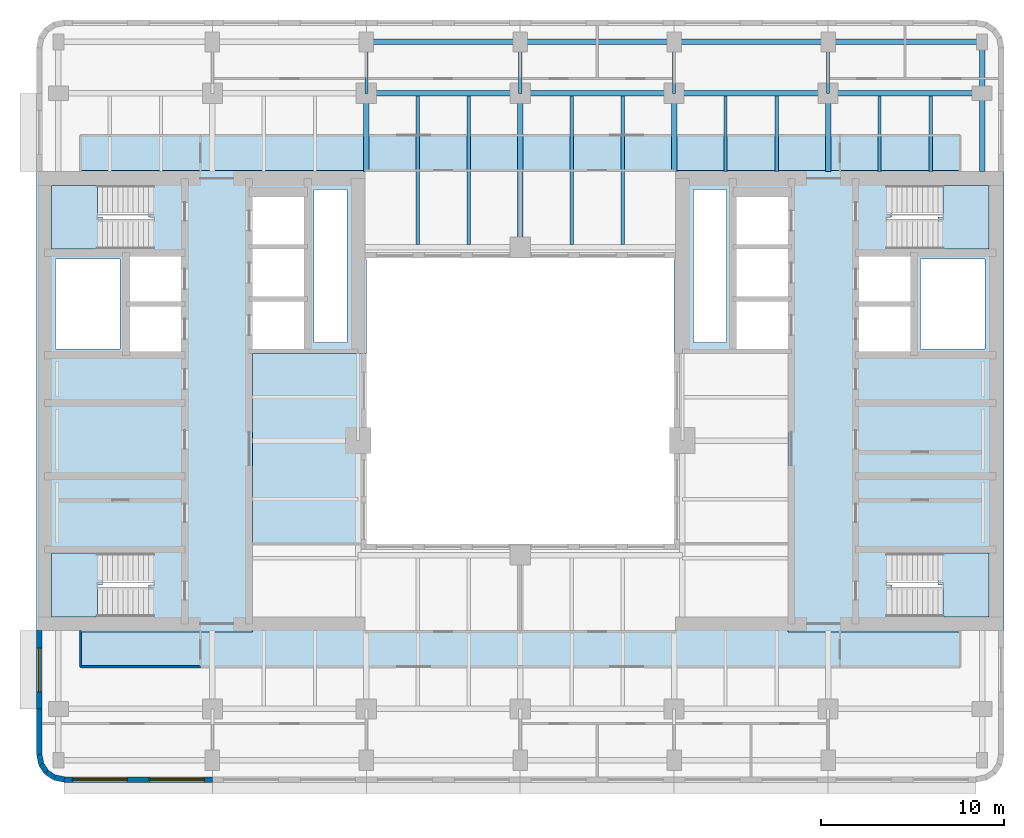
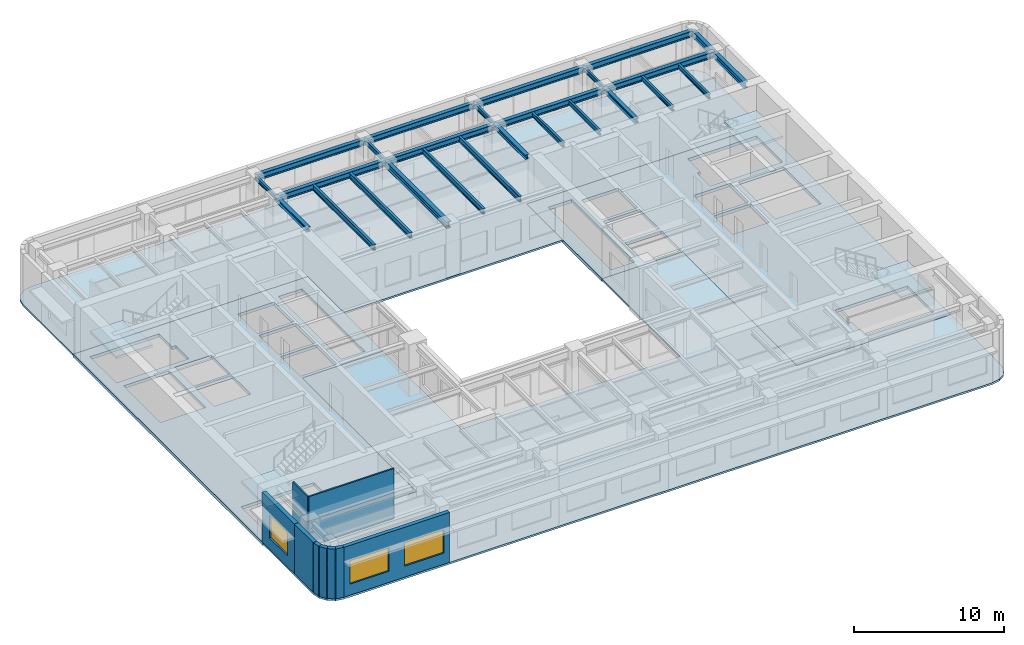
# One storey, part 2 of 11: 26 beams, 9 walls, 8 slabs, 3 windows, 3 openings, 4 elements without a shape of their own.
"""IFC4 building model written with IfcOpenShell, lengths in metres."""

from ifc_helpers import new_model, si_unit, direction, frame, frame_2d, origin, origin_2d, place, context, subcontext, project, spatial, polyline, rectangle, i_section, outline, extrude, material, layer, layer_set, material_profile, profile_set, type_object, element, fill, aggregate, save


model = new_model("IFC4")

# Units and contexts
model_context = context("Model", 3, precision=1e-05, world=origin(), true_north=direction((0.0, 1.0)))
body_context = subcontext(model_context, "Body", "Model", "MODEL_VIEW")
ifc_project = project(units=[si_unit("LENGTHUNIT", "METRE"), si_unit("AREAUNIT", "SQUARE_METRE"), si_unit("VOLUMEUNIT", "CUBIC_METRE"), si_unit("PLANEANGLEUNIT", "RADIAN"), si_unit("MASSUNIT", "GRAM", prefix="KILO")], contexts=[model_context])

# Site, building, storey
site_placement = place(None, origin())
site = spatial("IfcSite", under=ifc_project, at=site_placement, CompositionType="ELEMENT")
building_placement = place(site_placement, origin())
building = spatial("IfcBuilding", under=site, at=building_placement, Name="Claustro Exchange Tower", CompositionType="ELEMENT")
storey_placement = place(building_placement, frame((0.0, 0.0, 228.0)))
storey = spatial("IfcBuildingStorey", under=building, at=storey_placement, Name="L52", CompositionType="ELEMENT", Elevation=228.0)

# Beams
ifc_material_1 = material(Name="Steel S355", Category="steel")
ifc_material_profile_1 = material_profile(ifc_material_1, i_section(OverallWidth=0.169921875, OverallDepth=0.360107421875, WebThickness=0.008056640625, FlangeThickness=0.0126953125, FilletRadius=0.01806640625, at=origin_2d()), Name="IPE 360")
ifc_profile_set_1 = profile_set([ifc_material_profile_1], Name="Steel S355")
beam_type_1 = type_object("IfcBeamType", Name="B16 IPE 360 short-span beam", PredefinedType="BEAM", material=ifc_profile_set_1)
for number, where, z_axis, x_axis, name in (
    (1, (16.800048828125, 42.0, 3.8701171875), (0.0, 1.0, 0.0), (-1.0, 0.0, 0.0), "Beam B16 L53"),
    (2, (25.199951171875, 42.0, 3.8701171875), (0.0, 1.0, 0.0), (-1.0, 0.0, 0.0), "Beam B16 L53"),
    (3, (33.60009765625, 42.0, 3.8701171875), (0.0, 1.0, 0.0), (-1.0, 0.0, 0.0), "Beam B16 L53"),
    (4, (42.0, 42.0, 3.8701171875), (0.0, 1.0, 0.0), (-1.0, 0.0, 0.0), "Beam B16 L53"),
):
    element("IfcBeam", number, at=place(storey_placement, frame(where, z_axis=z_axis, x_axis=x_axis)), inside=storey, type_object=beam_type_1, Name=name, PredefinedType="BEAM", context=body_context, shape_type="SweptSolid", body=[
        extrude(i_section(OverallWidth=0.169921875, OverallDepth=0.360107421875, WebThickness=0.008056640625, FlangeThickness=0.0126953125, FilletRadius=0.01806640625, at=origin_2d()), origin(), (0.0, 0.0, 1.0), 2.800048828125),
    ])
for number, where, z_axis, x_axis, name in (
    (5, (36.39990234375, 37.72509765625, 3.8701171875), (0.0, 1.0, 0.0), (-1.0, 0.0, 0.0), "Beam B16 L53"),
    (6, (39.199951171875, 37.72509765625, 3.8701171875), (0.0, 1.0, 0.0), (-1.0, 0.0, 0.0), "Beam B16 L53"),
    (7, (44.800048828125, 37.72509765625, 3.8701171875), (0.0, 1.0, 0.0), (-1.0, 0.0, 0.0), "Beam B16 L53"),
    (8, (47.60009765625, 37.72509765625, 3.8701171875), (0.0, 1.0, 0.0), (-1.0, 0.0, 0.0), "Beam B16 L53"),
):
    element("IfcBeam", number, at=place(storey_placement, frame(where, z_axis=z_axis, x_axis=x_axis)), inside=storey, type_object=beam_type_1, Name=name, PredefinedType="BEAM", context=body_context, shape_type="SweptSolid", body=[
        extrude(i_section(OverallWidth=0.169921875, OverallDepth=0.360107421875, WebThickness=0.008056640625, FlangeThickness=0.0126953125, FilletRadius=0.01806640625, at=origin_2d()), origin(), (0.0, 0.0, 1.0), 4.125),
    ])
ifc_material_2 = material(Name="Steel S355", Category="steel")
ifc_material_profile_2 = material_profile(ifc_material_2, i_section(OverallWidth=0.300048828125, OverallDepth=0.360107421875, WebThickness=0.012451171875, FlangeThickness=0.0224609375, FilletRadius=0.027099609375, at=origin_2d()), Name="HE 360 B")
ifc_profile_set_2 = profile_set([ifc_material_profile_2], Name="Steel S355")
beam_type_2 = type_object("IfcBeamType", Name="B29 HE 360 B column to core link beam", PredefinedType="BEAM", material=ifc_profile_set_2)
for number, where, z_axis, x_axis, name in (
    (9, (16.800048828125, 37.72509765625, 3.8701171875), (0.0, 1.0, 0.0), (-1.0, 0.0, 0.0), "Beam B29 L53"),
    (10, (33.60009765625, 37.72509765625, 3.8701171875), (0.0, 1.0, 0.0), (-1.0, 0.0, 0.0), "Beam B29 L53"),
    (11, (42.0, 37.72509765625, 3.8701171875), (0.0, 1.0, 0.0), (-1.0, 0.0, 0.0), "Beam B29 L53"),
):
    element("IfcBeam", number, at=place(storey_placement, frame(where, z_axis=z_axis, x_axis=x_axis)), inside=storey, type_object=beam_type_2, Name=name, PredefinedType="BEAM", context=body_context, shape_type="SweptSolid", body=[
        extrude(i_section(OverallWidth=0.300048828125, OverallDepth=0.360107421875, WebThickness=0.012451171875, FlangeThickness=0.0224609375, FilletRadius=0.027099609375, at=origin_2d()), origin(), (0.0, 0.0, 1.0), 4.27490234375),
    ])
ifc_material_3 = material(Name="Steel S355", Category="steel")
ifc_material_profile_3 = material_profile(ifc_material_3, i_section(OverallWidth=0.300048828125, OverallDepth=0.5, WebThickness=0.014404296875, FlangeThickness=0.028076171875, FilletRadius=0.027099609375, at=origin_2d()), Name="HE 500 B")
ifc_profile_set_3 = profile_set([ifc_material_profile_3], Name="Steel S355")
beam_type_3 = type_object("IfcBeamType", Name="B7 HE 500 B floor girder", PredefinedType="BEAM", material=ifc_profile_set_3)
for number, where, z_axis, x_axis, name in (
    (12, (25.199951171875, 33.60009765625, 3.800048828125), (0.0, 1.0, 0.0), (-1.0, 0.0, 0.0), "Beam B7 L53"),
    (13, (16.800048828125, 42.0, 3.800048828125), (1.0, 0.0, 0.0), (0.0, 1.0, 0.0), "Beam B7 L53"),
):
    element("IfcBeam", number, at=place(storey_placement, frame(where, z_axis=z_axis, x_axis=x_axis)), inside=storey, type_object=beam_type_3, Name=name, PredefinedType="BEAM", context=body_context, shape_type="SweptSolid", body=[
        extrude(i_section(OverallWidth=0.300048828125, OverallDepth=0.5, WebThickness=0.014404296875, FlangeThickness=0.028076171875, FilletRadius=0.027099609375, at=origin_2d()), origin(), (0.0, 0.0, 1.0), 8.39990234375),
    ])
beam_1_placement = place(storey_placement, frame((25.199951171875, 42.0, 3.800048828125), z_axis=(1.0, 0.0, 0.0), x_axis=(0.0, 1.0, 0.0)))
element("IfcBeam", 14, at=beam_1_placement, inside=storey, type_object=beam_type_3, Name="Beam B7 L53", PredefinedType="BEAM", context=body_context, shape_type="SweptSolid", body=[
    extrude(i_section(OverallWidth=0.300048828125, OverallDepth=0.5, WebThickness=0.014404296875, FlangeThickness=0.028076171875, FilletRadius=0.027099609375, at=origin_2d()), origin(), (0.0, 0.0, 1.0), 8.400146484375),
])
for number, where, z_axis, x_axis, name in (
    (15, (33.60009765625, 42.0, 3.800048828125), (1.0, 0.0, 0.0), (0.0, 1.0, 0.0), "Beam B7 L53"),
    (16, (42.0, 42.0, 3.800048828125), (1.0, 0.0, 0.0), (0.0, 1.0, 0.0), "Beam B7 L53"),
):
    element("IfcBeam", number, at=place(storey_placement, frame(where, z_axis=z_axis, x_axis=x_axis)), inside=storey, type_object=beam_type_3, Name=name, PredefinedType="BEAM", context=body_context, shape_type="SweptSolid", body=[
        extrude(i_section(OverallWidth=0.300048828125, OverallDepth=0.5, WebThickness=0.014404296875, FlangeThickness=0.028076171875, FilletRadius=0.027099609375, at=origin_2d()), origin(), (0.0, 0.0, 1.0), 8.39990234375),
    ])
ifc_material_4 = material(Name="Steel S355", Category="steel")
ifc_material_profile_4 = material_profile(ifc_material_4, i_section(OverallWidth=0.18994140625, OverallDepth=0.449951171875, WebThickness=0.009521484375, FlangeThickness=0.0146484375, FilletRadius=0.02099609375, at=origin_2d()), Name="IPE 450")
ifc_profile_set_4 = profile_set([ifc_material_profile_4], Name="Steel S355")
beam_type_4 = type_object("IfcBeamType", Name="B8 IPE 450 secondary beam", PredefinedType="BEAM", material=ifc_profile_set_4)
for number, where, z_axis, x_axis, name in (
    (17, (19.60009765625, 33.75, 3.824951171875), (0.0, 1.0, 0.0), (-1.0, 0.0, 0.0), "Beam B8 L53"),
    (18, (22.39990234375, 33.75, 3.824951171875), (0.0, 1.0, 0.0), (-1.0, 0.0, 0.0), "Beam B8 L53"),
    (19, (28.0, 33.75, 3.824951171875), (0.0, 1.0, 0.0), (-1.0, 0.0, 0.0), "Beam B8 L53"),
    (20, (30.800048828125, 33.75, 3.824951171875), (0.0, 1.0, 0.0), (-1.0, 0.0, 0.0), "Beam B8 L53"),
):
    element("IfcBeam", number, at=place(storey_placement, frame(where, z_axis=z_axis, x_axis=x_axis)), inside=storey, type_object=beam_type_4, Name=name, PredefinedType="BEAM", context=body_context, shape_type="SweptSolid", body=[
        extrude(i_section(OverallWidth=0.18994140625, OverallDepth=0.449951171875, WebThickness=0.009521484375, FlangeThickness=0.0146484375, FilletRadius=0.02099609375, at=origin_2d()), origin(), (0.0, 0.0, 1.0), 8.10009765625),
    ])
ifc_material_5 = material(Name="Steel S355", Category="steel")
ifc_material_profile_5 = material_profile(ifc_material_5, i_section(OverallWidth=0.300048828125, OverallDepth=0.489990234375, WebThickness=0.011962890625, FlangeThickness=0.02294921875, FilletRadius=0.027099609375, at=origin_2d()), Name="HE 500 A")
ifc_profile_set_5 = profile_set([ifc_material_profile_5], Name="Steel S355")
beam_type_5 = type_object("IfcBeamType", Name="B9 HE 500 A spandrel edge girder", PredefinedType="SPANDREL", material=ifc_profile_set_5)
beam_2_placement = place(storey_placement, frame((50.39990234375, 37.72509765625, 3.804931640625), z_axis=(0.0, 1.0, 0.0), x_axis=(-1.0, 0.0, 0.0)))
element("IfcBeam", 21, at=beam_2_placement, inside=storey, type_object=beam_type_5, Name="Beam B9 L53", PredefinedType="SPANDREL", context=body_context, shape_type="SweptSolid", body=[
    extrude(i_section(OverallWidth=0.300048828125, OverallDepth=0.489990234375, WebThickness=0.011962890625, FlangeThickness=0.02294921875, FilletRadius=0.027099609375, at=origin_2d()), origin(), (0.0, 0.0, 1.0), 4.27490234375),
])
beam_3_placement = place(storey_placement, frame((50.39990234375, 42.0, 3.804931640625), z_axis=(0.0, 1.0, 0.0), x_axis=(-1.0, 0.0, 0.0)))
element("IfcBeam", 22, at=beam_3_placement, inside=storey, type_object=beam_type_5, Name="Beam B9 L53", PredefinedType="SPANDREL", context=body_context, shape_type="SweptSolid", body=[
    extrude(i_section(OverallWidth=0.300048828125, OverallDepth=0.489990234375, WebThickness=0.011962890625, FlangeThickness=0.02294921875, FilletRadius=0.027099609375, at=origin_2d()), origin(), (0.0, 0.0, 1.0), 2.800048828125),
])
beam_4_placement = place(storey_placement, frame((16.800048828125, 44.800048828125, 3.804931640625), z_axis=(1.0, 0.0, 0.0), x_axis=(0.0, 1.0, 0.0)))
element("IfcBeam", 23, at=beam_4_placement, inside=storey, type_object=beam_type_5, Name="Beam B9 L53", PredefinedType="SPANDREL", context=body_context, shape_type="SweptSolid", body=[
    extrude(i_section(OverallWidth=0.300048828125, OverallDepth=0.489990234375, WebThickness=0.011962890625, FlangeThickness=0.02294921875, FilletRadius=0.027099609375, at=origin_2d()), origin(), (0.0, 0.0, 1.0), 8.39990234375),
])
beam_5_placement = place(storey_placement, frame((25.199951171875, 44.800048828125, 3.804931640625), z_axis=(1.0, 0.0, 0.0), x_axis=(0.0, 1.0, 0.0)))
element("IfcBeam", 24, at=beam_5_placement, inside=storey, type_object=beam_type_5, Name="Beam B9 L53", PredefinedType="SPANDREL", context=body_context, shape_type="SweptSolid", body=[
    extrude(i_section(OverallWidth=0.300048828125, OverallDepth=0.489990234375, WebThickness=0.011962890625, FlangeThickness=0.02294921875, FilletRadius=0.027099609375, at=origin_2d()), origin(), (0.0, 0.0, 1.0), 8.400146484375),
])
for number, where, z_axis, x_axis, name in (
    (25, (33.60009765625, 44.800048828125, 3.804931640625), (1.0, 0.0, 0.0), (0.0, 1.0, 0.0), "Beam B9 L53"),
    (26, (42.0, 44.800048828125, 3.804931640625), (1.0, 0.0, 0.0), (0.0, 1.0, 0.0), "Beam B9 L53"),
):
    element("IfcBeam", number, at=place(storey_placement, frame(where, z_axis=z_axis, x_axis=x_axis)), inside=storey, type_object=beam_type_5, Name=name, PredefinedType="SPANDREL", context=body_context, shape_type="SweptSolid", body=[
        extrude(i_section(OverallWidth=0.300048828125, OverallDepth=0.489990234375, WebThickness=0.011962890625, FlangeThickness=0.02294921875, FilletRadius=0.027099609375, at=origin_2d()), origin(), (0.0, 0.0, 1.0), 8.39990234375),
    ])

# Slabs
ifc_material_6 = material(Name="Concrete HA-50 (C50/60)", Category="concrete")
ifc_layer_1 = layer(ifc_material_6, 0.14990234375)
ifc_layer_set_1 = layer_set([ifc_layer_1], Name="Concrete HA-50 (C50/60)")
slab_type_1 = type_object("IfcSlabType", Name="S2 150 composite floor slab", PredefinedType="FLOOR", material=ifc_layer_set_1)
slab_1_placement = place(storey_placement, frame((0.0, 0.0, -0.14990234375)))
element("IfcSlab", 27, at=slab_1_placement, inside=storey, type_object=slab_type_1, Name="Floor slab S2 S L52", PredefinedType="FLOOR", context=body_context, shape_type="SweptSolid", body=[
    extrude(outline(polyline([(-0.27392578125, 4.51416015625), (0.300048828125, 4.39990234375), (50.10009765625, 4.39990234375), (50.674072265625, 4.51416015625), (51.16064453125, 4.83935546875), (51.48583984375, 5.325927734375), (51.60009765625, 5.89990234375), (51.60009765625, 12.60009765625), (39.800048828125, 12.60009765625), (39.800048828125, 27.800048828125), (33.60009765625, 27.800048828125), (33.60009765625, 17.39990234375), (16.800048828125, 17.39990234375), (16.800048828125, 27.800048828125), (10.60009765625, 27.800048828125), (10.60009765625, 12.60009765625), (-1.199951171875, 12.60009765625), (-1.199951171875, 5.89990234375), (-1.085693359375, 5.325927734375), (-0.7607421875, 4.83935546875), (-0.27392578125, 4.51416015625)])), origin(), (0.0, 0.0, 1.0), 0.14990234375),
])
slab_2_placement = place(storey_placement, frame((0.0, 0.0, -0.14990234375)))
element("IfcSlab", 28, at=slab_2_placement, inside=storey, type_object=slab_type_1, Name="Floor slab S2 N L52", PredefinedType="FLOOR", context=body_context, shape_type="SweptSolid", body=[
    extrude(outline(polyline([(16.800048828125, 37.800048828125), (16.800048828125, 33.0), (33.60009765625, 33.0), (33.60009765625, 37.800048828125), (51.60009765625, 37.800048828125), (51.60009765625, 44.5), (51.48583984375, 45.073974609375), (51.16064453125, 45.560791015625), (50.674072265625, 45.8857421875), (50.10009765625, 46.0), (0.300048828125, 46.0), (-0.27392578125, 45.8857421875), (-0.7607421875, 45.560791015625), (-1.085693359375, 45.073974609375), (-1.199951171875, 44.5), (-1.199951171875, 37.800048828125), (16.800048828125, 37.800048828125)])), origin(), (0.0, 0.0, 1.0), 0.14990234375),
])
ifc_material_7 = material(Name="Concrete HA-50 (C50/60)", Category="concrete")
ifc_layer_2 = layer(ifc_material_7, 0.25)
ifc_layer_set_2 = layer_set([ifc_layer_2], Name="Concrete HA-50 (C50/60)")
slab_type_2 = type_object("IfcSlabType", Name="S7 250 core floor slab", PredefinedType="FLOOR", material=ifc_layer_set_2)
slab_3_placement = place(storey_placement, frame((0.0, 0.0, -0.25)))
element("IfcSlab", 29, at=slab_3_placement, inside=storey, type_object=slab_type_2, Name="Core floor slab S7 W core L52", PredefinedType="FLOOR", context=body_context, shape_type="SweptSolid", body=[
    extrude(outline(polyline([(-1.199951171875, 37.800048828125), (-1.199951171875, 12.60009765625), (10.60009765625, 12.60009765625), (10.60009765625, 27.800048828125), (16.800048828125, 27.800048828125), (16.800048828125, 37.800048828125), (-1.199951171875, 37.800048828125)]), holes=[polyline([(13.949951171875, 36.75), (15.75, 36.75), (15.75, 28.39990234375), (13.949951171875, 28.39990234375), (13.949951171875, 36.75)]), polyline([(10.60009765625, 30.64990234375), (13.39990234375, 30.64990234375), (13.39990234375, 28.050048828125), (10.60009765625, 28.050048828125), (10.60009765625, 30.64990234375)]), polyline([(10.60009765625, 33.5), (13.39990234375, 33.5), (13.39990234375, 30.89990234375), (10.60009765625, 30.89990234375), (10.60009765625, 33.5)]), polyline([(13.39990234375, 36.35009765625), (13.39990234375, 33.75), (10.60009765625, 33.75), (10.60009765625, 36.35009765625), (13.39990234375, 36.35009765625)]), polyline([(3.89990234375, 30.375), (6.699951171875, 30.375), (6.699951171875, 27.89990234375), (3.89990234375, 27.89990234375), (3.89990234375, 30.375)]), polyline([(3.89990234375, 33.10009765625), (6.699951171875, 33.10009765625), (6.699951171875, 30.625), (3.89990234375, 30.625), (3.89990234375, 33.10009765625)]), polyline([(-0.375, 15.16259765625), (-0.375, 16.89990234375), (5.195068359375, 16.89990234375), (5.195068359375, 15.16259765625), (4.919921875, 15.16259765625), (4.919921875, 13.425048828125), (-0.375, 13.425048828125), (-0.375, 15.16259765625)]), polyline([(-0.375, 35.237548828125), (-0.375, 36.97509765625), (4.919921875, 36.97509765625), (4.919921875, 35.237548828125), (5.195068359375, 35.237548828125), (5.195068359375, 33.5), (-0.375, 33.5), (-0.375, 35.237548828125)]), polyline([(-0.14990234375, 32.949951171875), (3.35009765625, 32.949951171875), (3.35009765625, 28.050048828125), (-0.14990234375, 28.050048828125), (-0.14990234375, 32.949951171875)])]), origin(), (0.0, 0.0, 1.0), 0.25),
])
slab_4_placement = place(storey_placement, frame((0.0, 0.0, -0.25)))
element("IfcSlab", 30, at=slab_4_placement, inside=storey, type_object=slab_type_2, Name="Core floor slab S7 E core L52", PredefinedType="FLOOR", context=body_context, shape_type="SweptSolid", body=[
    extrude(outline(polyline([(51.60009765625, 37.800048828125), (33.60009765625, 37.800048828125), (33.60009765625, 27.800048828125), (39.800048828125, 27.800048828125), (39.800048828125, 12.60009765625), (51.60009765625, 12.60009765625), (51.60009765625, 37.800048828125)]), holes=[polyline([(45.47998046875, 15.16259765625), (45.205078125, 15.16259765625), (45.205078125, 16.89990234375), (50.77490234375, 16.89990234375), (50.77490234375, 15.16259765625), (50.77490234375, 13.425048828125), (45.47998046875, 13.425048828125), (45.47998046875, 15.16259765625)]), polyline([(45.47998046875, 35.237548828125), (45.47998046875, 36.97509765625), (50.77490234375, 36.97509765625), (50.77490234375, 35.237548828125), (50.77490234375, 33.5), (45.205078125, 33.5), (45.205078125, 35.237548828125), (45.47998046875, 35.237548828125)]), polyline([(47.050048828125, 32.949951171875), (50.550048828125, 32.949951171875), (50.550048828125, 28.050048828125), (47.050048828125, 28.050048828125), (47.050048828125, 32.949951171875)]), polyline([(43.699951171875, 30.375), (46.5, 30.375), (46.5, 27.89990234375), (43.699951171875, 27.89990234375), (43.699951171875, 30.375)]), polyline([(43.699951171875, 33.10009765625), (46.5, 33.10009765625), (46.5, 30.625), (43.699951171875, 30.625), (43.699951171875, 33.10009765625)]), polyline([(37.0, 30.64990234375), (39.800048828125, 30.64990234375), (39.800048828125, 28.050048828125), (37.0, 28.050048828125), (37.0, 30.64990234375)]), polyline([(37.0, 33.5), (39.800048828125, 33.5), (39.800048828125, 30.89990234375), (37.0, 30.89990234375), (37.0, 33.5)]), polyline([(39.800048828125, 36.35009765625), (39.800048828125, 33.75), (37.0, 33.75), (37.0, 36.35009765625), (39.800048828125, 36.35009765625)]), polyline([(34.64990234375, 36.75), (36.449951171875, 36.75), (36.449951171875, 28.39990234375), (34.64990234375, 28.39990234375), (34.64990234375, 36.75)])]), origin(), (0.0, 0.0, 1.0), 0.25),
])

# Stair, slab
ifc_material_8 = material(Name="Concrete HA-30 (C30/37), precast", Category="concrete")
stair_type = type_object("IfcStairType", Name="ST1 half-turn stair, 24 risers of 175", PredefinedType="HALF_TURN_STAIR", material=ifc_material_8)
stair_1_placement = place(storey_placement, origin())
stair_1 = element("IfcStair", 31, at=stair_1_placement, inside=storey, type_object=stair_type, Name="Stair STWA L52", PredefinedType="HALF_TURN_STAIR")
ifc_material_9 = material(Name="Concrete HA-30 (C30/37), precast", Category="concrete")
ifc_layer_3 = layer(ifc_material_9, 0.199951171875)
ifc_layer_set_3 = layer_set([ifc_layer_3], Name="Concrete HA-30 (C30/37), precast")
slab_type_3 = type_object("IfcSlabType", Name="S9 200 stair landing", PredefinedType="LANDING", material=ifc_layer_set_3)
slab_5_placement = place(storey_placement, frame((0.0, 0.0, 1.89990234375)))
slab_5 = element("IfcSlab", 32, at=slab_5_placement, type_object=slab_type_3, Name="STWA landing 1", PredefinedType="LANDING", context=body_context, shape_type="SweptSolid", body=[
    extrude(outline(polyline([(2.125, 13.425048828125), (-0.375, 13.425048828125), (-0.375, 16.89990234375), (2.1201171875, 16.89990234375), (2.125, 16.89990234375), (2.39990234375, 16.89990234375), (2.39990234375, 15.16259765625), (2.125, 15.16259765625), (2.125, 13.425048828125)])), origin(), (0.0, 0.0, 1.0), 0.2001953125),
])
aggregate(stair_1, [slab_5])

stair_2_placement = place(storey_placement, origin())
stair_2 = element("IfcStair", 33, at=stair_2_placement, inside=storey, type_object=stair_type, Name="Stair STWB L52", PredefinedType="HALF_TURN_STAIR")
slab_6_placement = place(storey_placement, frame((0.0, 0.0, 1.89990234375)))
slab_6 = element("IfcSlab", 34, at=slab_6_placement, type_object=slab_type_3, Name="STWB landing 1", PredefinedType="LANDING", context=body_context, shape_type="SweptSolid", body=[
    extrude(outline(polyline([(2.39990234375, 35.237548828125), (2.39990234375, 33.5), (2.125, 33.5), (2.1201171875, 33.5), (-0.375, 33.5), (-0.375, 36.97509765625), (2.125, 36.97509765625), (2.125, 35.237548828125), (2.39990234375, 35.237548828125)])), origin(), (0.0, 0.0, 1.0), 0.2001953125),
])
aggregate(stair_2, [slab_6])

stair_3_placement = place(storey_placement, origin())
stair_3 = element("IfcStair", 35, at=stair_3_placement, inside=storey, type_object=stair_type, Name="Stair STEA L52", PredefinedType="HALF_TURN_STAIR")
slab_7_placement = place(storey_placement, frame((0.0, 0.0, 1.89990234375)))
slab_7 = element("IfcSlab", 36, at=slab_7_placement, type_object=slab_type_3, Name="STEA landing 1", PredefinedType="LANDING", context=body_context, shape_type="SweptSolid", body=[
    extrude(outline(polyline([(50.77490234375, 16.89990234375), (50.77490234375, 13.425048828125), (48.27490234375, 13.425048828125), (48.27490234375, 15.16259765625), (48.0, 15.16259765625), (48.0, 16.89990234375), (48.27490234375, 16.89990234375), (48.280029296875, 16.89990234375), (50.77490234375, 16.89990234375)])), origin(), (0.0, 0.0, 1.0), 0.2001953125),
])
aggregate(stair_3, [slab_7])

stair_4_placement = place(storey_placement, origin())
stair_4 = element("IfcStair", 37, at=stair_4_placement, inside=storey, type_object=stair_type, Name="Stair STEB L52", PredefinedType="HALF_TURN_STAIR")
slab_8_placement = place(storey_placement, frame((0.0, 0.0, 1.89990234375)))
slab_8 = element("IfcSlab", 38, at=slab_8_placement, type_object=slab_type_3, Name="STEB landing 1", PredefinedType="LANDING", context=body_context, shape_type="SweptSolid", body=[
    extrude(outline(polyline([(48.0, 33.5), (48.0, 35.237548828125), (48.27490234375, 35.237548828125), (48.27490234375, 36.97509765625), (50.77490234375, 36.97509765625), (50.77490234375, 33.5), (48.280029296875, 33.5), (48.27490234375, 33.5), (48.0, 33.5)])), origin(), (0.0, 0.0, 1.0), 0.2001953125),
])
aggregate(stair_4, [slab_8])

# Walls
ifc_material_10 = material(Name="Laminated glass in aluminium frame", Category="aluminium")
ifc_layer_4 = layer(ifc_material_10, 0.1201171875)
ifc_layer_set_4 = layer_set([ifc_layer_4], Name="Laminated glass in aluminium frame")
wall_type_1 = type_object("IfcWallType", Name="P2 120 glazed partition", PredefinedType="PARTITIONING", material=ifc_layer_set_4)
wall_1_placement = place(storey_placement, frame((1.199951171875, 10.699951171875, 0.0), z_axis=(0.0, 0.0, 1.0), x_axis=(1.0, 0.0, 0.0)))
element("IfcWall", 39, at=wall_1_placement, inside=storey, type_object=wall_type_1, Name="Partition P2 L52", PredefinedType="PARTITIONING", context=body_context, shape_type="SweptSolid", body=[
    extrude(rectangle(XDim=6.552001953125, YDim=0.1201171875, at=frame_2d((3.27587890625, 0.0))), origin(), (0.0, 0.0, 1.0), 4.050048828125),
])
wall_2_placement = place(storey_placement, frame((1.199951171875, 10.699951171875, 0.0), z_axis=(0.0, 0.0, 1.0), x_axis=(0.0, 1.0, 0.0)))
element("IfcWall", 40, at=wall_2_placement, inside=storey, type_object=wall_type_1, Name="Partition P2 L52", PredefinedType="PARTITIONING", context=body_context, shape_type="SweptSolid", body=[
    extrude(rectangle(XDim=1.97607421875, YDim=0.1201171875, at=frame_2d((0.988037109375, 0.0))), origin(), (0.0, 0.0, 1.0), 4.050048828125),
])

# Wall, openings, windows
ifc_material_11 = material(Name="Concrete HA-40 (C40/50), precast, white cement, acid-etched", Category="concrete")
ifc_layer_5 = layer(ifc_material_11, 0.300048828125)
ifc_layer_set_5 = layer_set([ifc_layer_5], Name="Concrete HA-40 (C40/50), precast, white cement, acid-etched")
wall_type_2 = type_object("IfcWallType", Name="PC1 300 precast concrete pier panel", PredefinedType="SOLIDWALL", material=ifc_layer_set_5)
wall_3_placement = place(storey_placement, frame((8.39990234375, 4.550048828125, 0.0), z_axis=(0.0, 0.0, 1.0), x_axis=(-1.0, 0.0, 0.0)))
wall_3 = element("IfcWall", 41, at=wall_3_placement, inside=storey, type_object=wall_type_2, Name="Precast pier panel PC1 L52", PredefinedType="SOLIDWALL", context=body_context, shape_type="SweptSolid", body=[
    extrude(rectangle(XDim=8.085205078125, YDim=0.300048828125, at=frame_2d((4.04248046875, 0.0))), origin(), (0.0, 0.0, 1.0), 4.050048828125),
])
opening_1_placement = place(wall_3_placement, frame((0.442626953125, 0.0, 0.89990234375)))
opening_1 = element("IfcOpeningElement", 42, at=opening_1_placement, cuts=wall_3, Name="Opening W1", PredefinedType="OPENING", context=body_context, shape_type="SweptSolid", body=[
    extrude(rectangle(XDim=3.0, YDim=1.89990234375, at=frame_2d((1.5, 0.949951171875))), frame((0.0, 0.159912109375, 0.0), z_axis=(0.0, -1.0, 0.0), x_axis=(1.0, 0.0, 0.0)), (0.0, 0.0, 1.0), 0.320068359375),
])
opening_2_placement = place(wall_3_placement, frame((4.642578125, 0.0, 0.89990234375)))
opening_2 = element("IfcOpeningElement", 43, at=opening_2_placement, cuts=wall_3, Name="Opening W1", PredefinedType="OPENING", context=body_context, shape_type="SweptSolid", body=[
    extrude(rectangle(XDim=3.0, YDim=1.89990234375, at=frame_2d((1.5, 0.949951171875))), frame((0.0, 0.159912109375, 0.0), z_axis=(0.0, -1.0, 0.0), x_axis=(1.0, 0.0, 0.0)), (0.0, 0.0, 1.0), 0.320068359375),
])
ifc_material_12 = material(Name="Aluminium frame, clear double glazing", Category="aluminium")
window_type_1 = type_object("IfcWindowType", Name="W1 3000 x 1900 window", PartitioningType="SINGLE_PANEL", PredefinedType="WINDOW", material=ifc_material_12)
window_1_placement = place(opening_1_placement, origin())
window_1 = element("IfcWindow", 44, at=window_1_placement, inside=storey, type_object=window_type_1, Name="Window W1 L52", OverallHeight=1.89990234375, OverallWidth=3.0, PartitioningType="SINGLE_PANEL", PredefinedType="WINDOW", context=body_context, shape_type="SweptSolid", body=[
    extrude(rectangle(XDim=3.0, YDim=1.89990234375, at=frame_2d((1.5, 0.949951171875))), frame((0.0, 0.030029296875, 0.0), z_axis=(0.0, -1.0, 0.0), x_axis=(1.0, 0.0, 0.0)), (0.0, 0.0, 1.0), 0.06005859375),
])
fill(opening_1, window_1)
window_2_placement = place(opening_2_placement, origin())
window_2 = element("IfcWindow", 45, at=window_2_placement, inside=storey, type_object=window_type_1, Name="Window W1 L52", OverallHeight=1.89990234375, OverallWidth=3.0, PartitioningType="SINGLE_PANEL", PredefinedType="WINDOW", context=body_context, shape_type="SweptSolid", body=[
    extrude(rectangle(XDim=3.0, YDim=1.89990234375, at=frame_2d((1.5, 0.949951171875))), frame((0.0, 0.030029296875, 0.0), z_axis=(0.0, -1.0, 0.0), x_axis=(1.0, 0.0, 0.0)), (0.0, 0.0, 1.0), 0.06005859375),
])
fill(opening_2, window_2)

# Walls
wall_4_placement = place(storey_placement, frame((0.314697265625, 4.550048828125, 0.0), z_axis=(0.0, 0.0, 1.0), x_axis=(-0.980788534345, 0.195073962632, 0.0)))
element("IfcWall", 46, at=wall_4_placement, inside=storey, type_object=wall_type_2, Name="Precast pier panel PC1 L52", PredefinedType="SOLIDWALL", context=body_context, shape_type="SweptSolid", body=[
    extrude(rectangle(XDim=0.540771484375, YDim=0.300048828125, at=frame_2d((0.2705078125, 0.0))), origin(), (0.0, 0.0, 1.0), 4.050048828125),
])
for number, where, z_axis, x_axis, name in (
    (47, (-0.215576171875, 4.655517578125, 0.0), (0.0, 0.0, 1.0), (-0.831478144188, 0.555557463938, 0.0), "Precast pier panel PC1 L52"),
    (48, (-0.652587890625, 4.947509765625, 0.0), (0.0, 0.0, 1.0), (-0.555557463938, 0.831478144188, 0.0), "Precast pier panel PC1 L52"),
):
    element("IfcWall", number, at=place(storey_placement, frame(where, z_axis=z_axis, x_axis=x_axis)), inside=storey, type_object=wall_type_2, Name=name, PredefinedType="SOLIDWALL", context=body_context, shape_type="SweptSolid", body=[
        extrude(rectangle(XDim=0.525634765625, YDim=0.300048828125, at=frame_2d((0.2626953125, 0.0))), origin(), (0.0, 0.0, 1.0), 4.050048828125),
    ])
wall_5_placement = place(storey_placement, frame((-0.944580078125, 5.384521484375, 0.0), z_axis=(0.0, 0.0, 1.0), x_axis=(-0.195073962632, 0.980788534345, 0.0)))
element("IfcWall", 49, at=wall_5_placement, inside=storey, type_object=wall_type_2, Name="Precast pier panel PC1 L52", PredefinedType="SOLIDWALL", context=body_context, shape_type="SweptSolid", body=[
    extrude(rectangle(XDim=0.540771484375, YDim=0.300048828125, at=frame_2d((0.2705078125, 0.0))), origin(), (0.0, 0.0, 1.0), 4.050048828125),
])
wall_6_placement = place(storey_placement, frame((-1.050048828125, 5.914794921875, 0.0), z_axis=(0.0, 0.0, 1.0), x_axis=(0.0, 1.0, 0.0)))
element("IfcWall", 50, at=wall_6_placement, inside=storey, type_object=wall_type_2, Name="Precast pier panel PC1 L52", PredefinedType="SOLIDWALL", context=body_context, shape_type="SweptSolid", body=[
    extrude(rectangle(XDim=2.485107421875, YDim=0.300048828125, at=frame_2d((1.24267578125, 0.0))), origin(), (0.0, 0.0, 1.0), 4.050048828125),
])

# Wall, opening, window
wall_7_placement = place(storey_placement, frame((-1.050048828125, 8.39990234375, 0.0), z_axis=(0.0, 0.0, 1.0), x_axis=(0.0, 1.0, 0.0)))
wall_7 = element("IfcWall", 51, at=wall_7_placement, inside=storey, type_object=wall_type_2, Name="Precast pier panel PC1 L52", PredefinedType="SOLIDWALL", context=body_context, shape_type="SweptSolid", body=[
    extrude(rectangle(XDim=4.275146484375, YDim=0.300048828125, at=frame_2d((2.1376953125, 0.0))), origin(), (0.0, 0.0, 1.0), 4.050048828125),
])
opening_3_placement = place(wall_7_placement, frame((0.9375, 0.0, 0.89990234375)))
opening_3 = element("IfcOpeningElement", 52, at=opening_3_placement, cuts=wall_7, Name="Opening W2", PredefinedType="OPENING", context=body_context, shape_type="SweptSolid", body=[
    extrude(rectangle(XDim=2.39990234375, YDim=1.89990234375, at=frame_2d((1.199951171875, 0.949951171875))), frame((0.0, 0.159912109375, 0.0), z_axis=(0.0, -1.0, 0.0), x_axis=(1.0, 0.0, 0.0)), (0.0, 0.0, 1.0), 0.320068359375),
])
ifc_material_13 = material(Name="Aluminium frame, clear double glazing", Category="aluminium")
window_type_2 = type_object("IfcWindowType", Name="W2 2400 x 1900 window", PartitioningType="SINGLE_PANEL", PredefinedType="WINDOW", material=ifc_material_13)
window_3_placement = place(opening_3_placement, origin())
window_3 = element("IfcWindow", 53, at=window_3_placement, inside=storey, type_object=window_type_2, Name="Window W2 L52", OverallHeight=1.89990234375, OverallWidth=2.39990234375, PartitioningType="SINGLE_PANEL", PredefinedType="WINDOW", context=body_context, shape_type="SweptSolid", body=[
    extrude(rectangle(XDim=2.39990234375, YDim=1.89990234375, at=frame_2d((1.199951171875, 0.949951171875))), frame((0.0, 0.030029296875, 0.0), z_axis=(0.0, -1.0, 0.0), x_axis=(1.0, 0.0, 0.0)), (0.0, 0.0, 1.0), 0.06005859375),
])
fill(opening_3, window_3)

save(model, "model.ifc")
